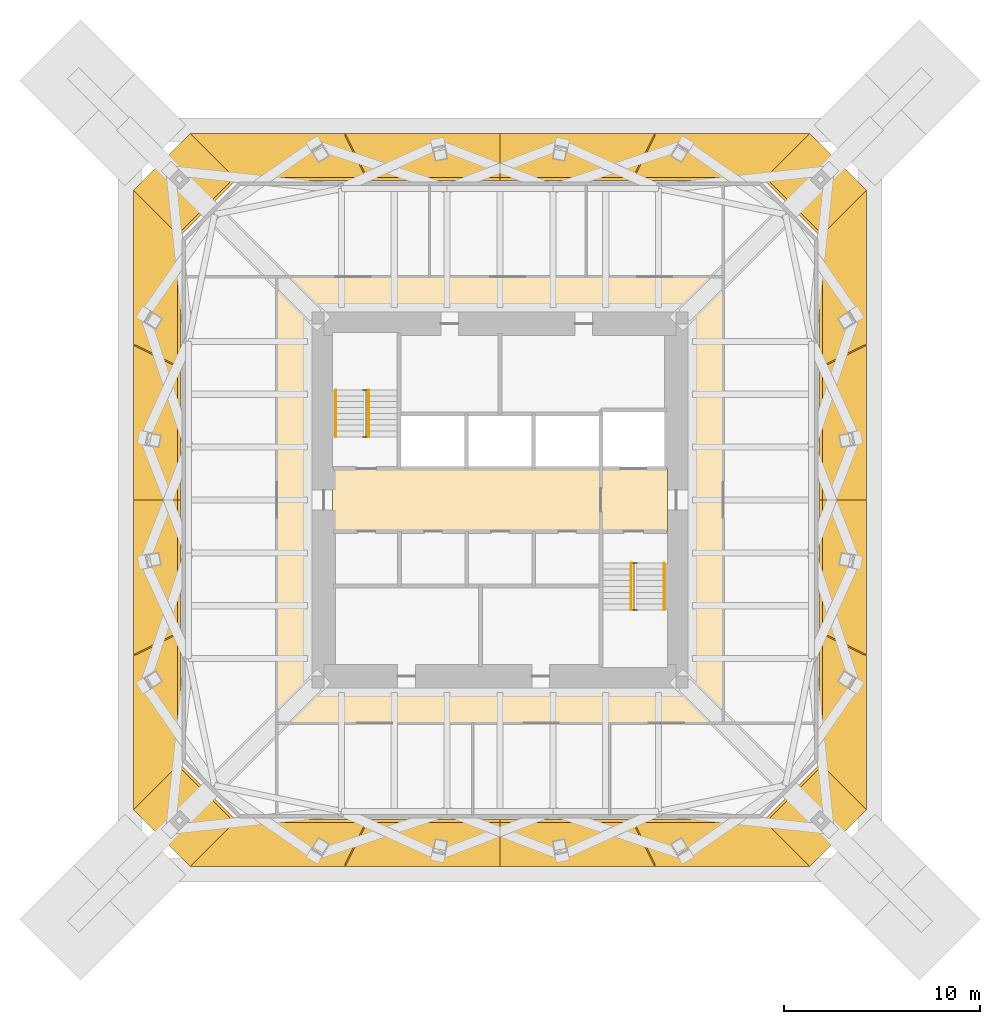
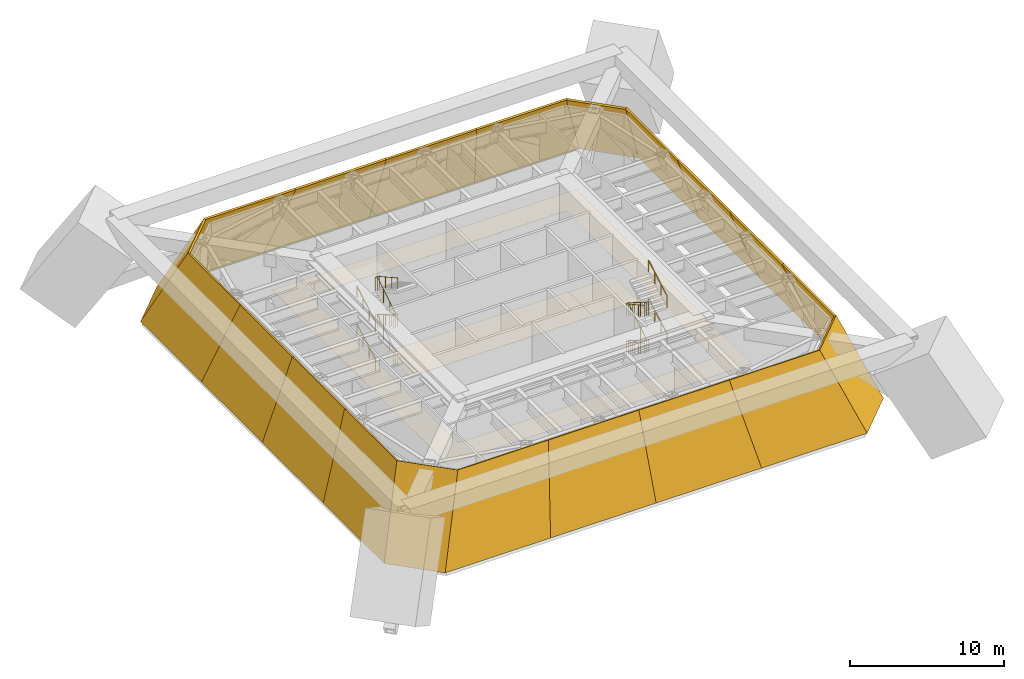
# One storey, part 6 of 6: 20 shading devices, 10 railings, 3 coverings.
"""IFC4 building model written with IfcOpenShell, lengths in metres."""

from ifc_helpers import new_model, si_unit, direction, frame, origin, origin_2d, place, context, subcontext, project, spatial, polyline, circle, outline, extrude, material, layer, layer_set, constituent, constituent_set, type_object, element, save


model = new_model("IFC4")

# Units and contexts
model_context = context("Model", 3, precision=1e-05, world=origin(), true_north=direction((0.0, 1.0)))
body_context = subcontext(model_context, "Body", "Model", "MODEL_VIEW")
ifc_project = project(units=[si_unit("LENGTHUNIT", "METRE"), si_unit("AREAUNIT", "SQUARE_METRE"), si_unit("VOLUMEUNIT", "CUBIC_METRE"), si_unit("PLANEANGLEUNIT", "RADIAN"), si_unit("MASSUNIT", "GRAM", prefix="KILO")], contexts=[model_context])

# Site, building, storey
site_placement = place(None, origin())
site = spatial("IfcSite", under=ifc_project, at=site_placement, CompositionType="ELEMENT")
building_placement = place(site_placement, origin())
building = spatial("IfcBuilding", under=site, at=building_placement, Name="Iwan Alto Co-Living Towers", CompositionType="ELEMENT")
storey_placement = place(building_placement, frame((0.0, 0.0, 209.0)))
storey = spatial("IfcBuildingStorey", under=building, at=storey_placement, Name="L57", CompositionType="ELEMENT", Elevation=209.0)

# Coverings
ifc_material_1 = material(Name="Mineral fibre acoustic tiles on steel grid", Category="steel")
ifc_layer_1 = layer(ifc_material_1, 0.02001953125)
ifc_layer_set_1 = layer_set([ifc_layer_1], Name="ACOUSTIC TILE CEILING 20")
covering_type_1 = type_object("IfcCoveringType", Name="ACOUSTIC TILE CEILING 20", PredefinedType="CEILING", material=ifc_layer_set_1)
covering_1_placement = place(storey_placement, frame((0.0, 0.0, 2.60009765625)))
element("IfcCovering", 1, at=covering_1_placement, inside=storey, type_object=covering_type_1, Name="Ceiling Lift lobby L57", PredefinedType="CEILING", context=body_context, shape_type="SweptSolid", body=[
    extrude(outline(polyline([(-8.550048828125, -1.60009765625), (-8.550048828125, 1.60009765625), (5.14990234375, 1.60009765625), (5.14990234375, -1.60009765625), (-8.550048828125, -1.60009765625)])), origin(), (0.0, 0.0, 1.0), 0.02001953125),
])
covering_2_placement = place(storey_placement, frame((0.0, 0.0, 2.60009765625)))
element("IfcCovering", 2, at=covering_2_placement, inside=storey, type_object=covering_type_1, Name="Ceiling Firefighting lobby L57", PredefinedType="CEILING", context=body_context, shape_type="SweptSolid", body=[
    extrude(outline(polyline([(5.14990234375, -1.60009765625), (5.14990234375, 1.60009765625), (8.550048828125, 1.60009765625), (8.550048828125, -1.60009765625), (5.14990234375, -1.60009765625)])), origin(), (0.0, 0.0, 1.0), 0.02001953125),
])

# Shading devices
ifc_material_2 = material(Name="Aluminium 6063-T6 bronze anodised", Category="aluminium")
ifc_layer_2 = layer(ifc_material_2, 0.10009765625, Name="Louvre blades", Category="Finish")
ifc_material_3 = material(Name="Steel ASTM A36 galvanised frame", Category="steel")
ifc_layer_3 = layer(ifc_material_3, 0.050048828125, Name="Steel frame", Category="Framing")
ifc_layer_set_2 = layer_set([ifc_layer_2, ifc_layer_3], Name="PLANT LOUVRE BAND 150")
shading_device_type = type_object("IfcShadingDeviceType", Name="PLANT LOUVRE BAND 150", PredefinedType="USERDEFINED", material=ifc_layer_set_2)
shading_device_1_placement = place(storey_placement, frame((-15.8115234375, -18.710205078125, 0.0), z_axis=(0.0, -0.936329177569, 0.351123441588), x_axis=(1.0, 0.0, 0.0)))
element("IfcShadingDevice", 3, at=shading_device_1_placement, inside=storey, type_object=shading_device_type, Name="T1 raked louvre band L57 panel 1", ObjectType="LOUVER", PredefinedType="USERDEFINED", context=body_context, shape_type="SweptSolid", body=[
    extrude(outline(polyline([(0.0, 0.0), (7.905761719, 0.0), (9.030761719, 6.408002809), (2.25, 6.408002809), (0.0, 0.0)])), origin(), (0.0, 0.0, -1.0), 0.14990234375),
])
shading_device_2_placement = place(storey_placement, frame((-7.90576171875, -18.710205078125, 0.0), z_axis=(0.0, -0.936329177569, 0.351123441588), x_axis=(1.0, 0.0, 0.0)))
element("IfcShadingDevice", 4, at=shading_device_2_placement, inside=storey, type_object=shading_device_type, Name="T1 raked louvre band L57 panel 2", ObjectType="LOUVER", PredefinedType="USERDEFINED", context=body_context, shape_type="SweptSolid", body=[
    extrude(outline(polyline([(0.0, 0.0), (7.905761719, 0.0), (7.905761719, 6.408002809), (1.125, 6.408002809), (0.0, 0.0)])), origin(), (0.0, 0.0, -1.0), 0.14990234375),
])
shading_device_3_placement = place(storey_placement, frame((0.0, -18.710205078125, 0.0), z_axis=(0.0, -0.936329177569, 0.351123441588), x_axis=(1.0, 0.0, 0.0)))
element("IfcShadingDevice", 5, at=shading_device_3_placement, inside=storey, type_object=shading_device_type, Name="T1 raked louvre band L57 panel 3", ObjectType="LOUVER", PredefinedType="USERDEFINED", context=body_context, shape_type="SweptSolid", body=[
    extrude(outline(polyline([(0.0, 0.0), (7.905761719, 0.0), (6.780761719, 6.408002809), (0.0, 6.408002809), (0.0, 0.0)])), origin(), (0.0, 0.0, -1.0), 0.14990234375),
])
shading_device_4_placement = place(storey_placement, frame((7.90576171875, -18.710205078125, 0.0), z_axis=(0.0, -0.936329177569, 0.351123441588), x_axis=(1.0, 0.0, 0.0)))
element("IfcShadingDevice", 6, at=shading_device_4_placement, inside=storey, type_object=shading_device_type, Name="T1 raked louvre band L57 panel 4", ObjectType="LOUVER", PredefinedType="USERDEFINED", context=body_context, shape_type="SweptSolid", body=[
    extrude(outline(polyline([(0.0, 0.0), (7.905761719, 0.0), (5.655761719, 6.408002809), (-1.125, 6.408002809), (0.0, 0.0)])), origin(), (0.0, 0.0, -1.0), 0.14990234375),
])
shading_device_5_placement = place(storey_placement, frame((15.8115234375, -18.710205078125, 0.0), z_axis=(0.624695047554, -0.624695047554, 0.468521285666), x_axis=(0.707106781187, 0.707106781187, 0.0)))
element("IfcShadingDevice", 7, at=shading_device_5_placement, inside=storey, type_object=shading_device_type, Name="T1 raked louvre band L57 panel 5", ObjectType="LOUVER", PredefinedType="USERDEFINED", context=body_context, shape_type="SweptSolid", body=[
    extrude(outline(polyline([(0.0, 0.0), (4.099354889, 0.0), (4.099354889, 6.791538854), (0.0, 6.791538854), (0.0, 0.0)])), origin(), (0.0, 0.0, -1.0), 0.14990234375),
])
shading_device_6_placement = place(storey_placement, frame((18.710205078125, -15.8115234375, 0.0), z_axis=(0.936329177569, 0.0, 0.351123441588), x_axis=(0.0, 1.0, 0.0)))
element("IfcShadingDevice", 8, at=shading_device_6_placement, inside=storey, type_object=shading_device_type, Name="T1 raked louvre band L57 panel 6", ObjectType="LOUVER", PredefinedType="USERDEFINED", context=body_context, shape_type="SweptSolid", body=[
    extrude(outline(polyline([(0.0, 0.0), (7.905761719, 0.0), (9.030761719, 6.408002809), (2.25, 6.408002809), (0.0, 0.0)])), origin(), (0.0, 0.0, -1.0), 0.14990234375),
])
shading_device_7_placement = place(storey_placement, frame((18.710205078125, -7.90576171875, 0.0), z_axis=(0.936329177569, 0.0, 0.351123441588), x_axis=(0.0, 1.0, 0.0)))
element("IfcShadingDevice", 9, at=shading_device_7_placement, inside=storey, type_object=shading_device_type, Name="T1 raked louvre band L57 panel 7", ObjectType="LOUVER", PredefinedType="USERDEFINED", context=body_context, shape_type="SweptSolid", body=[
    extrude(outline(polyline([(0.0, 0.0), (7.905761719, 0.0), (7.905761719, 6.408002809), (1.125, 6.408002809), (0.0, 0.0)])), origin(), (0.0, 0.0, -1.0), 0.14990234375),
])
shading_device_8_placement = place(storey_placement, frame((18.710205078125, 0.0, 0.0), z_axis=(0.936329177569, 0.0, 0.351123441588), x_axis=(0.0, 1.0, 0.0)))
element("IfcShadingDevice", 10, at=shading_device_8_placement, inside=storey, type_object=shading_device_type, Name="T1 raked louvre band L57 panel 8", ObjectType="LOUVER", PredefinedType="USERDEFINED", context=body_context, shape_type="SweptSolid", body=[
    extrude(outline(polyline([(0.0, 0.0), (7.905761719, 0.0), (6.780761719, 6.408002809), (0.0, 6.408002809), (0.0, 0.0)])), origin(), (0.0, 0.0, -1.0), 0.14990234375),
])
shading_device_9_placement = place(storey_placement, frame((18.710205078125, 7.90576171875, 0.0), z_axis=(0.936329177569, 0.0, 0.351123441588), x_axis=(0.0, 1.0, 0.0)))
element("IfcShadingDevice", 11, at=shading_device_9_placement, inside=storey, type_object=shading_device_type, Name="T1 raked louvre band L57 panel 9", ObjectType="LOUVER", PredefinedType="USERDEFINED", context=body_context, shape_type="SweptSolid", body=[
    extrude(outline(polyline([(0.0, 0.0), (7.905761719, 0.0), (5.655761719, 6.408002809), (-1.125, 6.408002809), (0.0, 0.0)])), origin(), (0.0, 0.0, -1.0), 0.14990234375),
])
shading_device_10_placement = place(storey_placement, frame((18.710205078125, 15.8115234375, 0.0), z_axis=(0.624695047554, 0.624695047554, 0.468521285666), x_axis=(-0.707106781187, 0.707106781187, 0.0)))
element("IfcShadingDevice", 12, at=shading_device_10_placement, inside=storey, type_object=shading_device_type, Name="T1 raked louvre band L57 panel 10", ObjectType="LOUVER", PredefinedType="USERDEFINED", context=body_context, shape_type="SweptSolid", body=[
    extrude(outline(polyline([(0.0, 0.0), (4.099354889, 0.0), (4.099354889, 6.791538854), (0.0, 6.791538854), (0.0, 0.0)])), origin(), (0.0, 0.0, -1.0), 0.14990234375),
])
shading_device_11_placement = place(storey_placement, frame((15.8115234375, 18.710205078125, 0.0), z_axis=(0.0, 0.936329177569, 0.351123441588), x_axis=(-1.0, 0.0, 0.0)))
element("IfcShadingDevice", 13, at=shading_device_11_placement, inside=storey, type_object=shading_device_type, Name="T1 raked louvre band L57 panel 11", ObjectType="LOUVER", PredefinedType="USERDEFINED", context=body_context, shape_type="SweptSolid", body=[
    extrude(outline(polyline([(0.0, 0.0), (7.905761719, 0.0), (9.030761719, 6.408002809), (2.25, 6.408002809), (0.0, 0.0)])), origin(), (0.0, 0.0, -1.0), 0.14990234375),
])
shading_device_12_placement = place(storey_placement, frame((7.90576171875, 18.710205078125, 0.0), z_axis=(0.0, 0.936329177569, 0.351123441588), x_axis=(-1.0, 0.0, 0.0)))
element("IfcShadingDevice", 14, at=shading_device_12_placement, inside=storey, type_object=shading_device_type, Name="T1 raked louvre band L57 panel 12", ObjectType="LOUVER", PredefinedType="USERDEFINED", context=body_context, shape_type="SweptSolid", body=[
    extrude(outline(polyline([(0.0, 0.0), (7.905761719, 0.0), (7.905761719, 6.408002809), (1.125, 6.408002809), (0.0, 0.0)])), origin(), (0.0, 0.0, -1.0), 0.14990234375),
])
shading_device_13_placement = place(storey_placement, frame((0.0, 18.710205078125, 0.0), z_axis=(0.0, 0.936329177569, 0.351123441588), x_axis=(-1.0, 0.0, 0.0)))
element("IfcShadingDevice", 15, at=shading_device_13_placement, inside=storey, type_object=shading_device_type, Name="T1 raked louvre band L57 panel 13", ObjectType="LOUVER", PredefinedType="USERDEFINED", context=body_context, shape_type="SweptSolid", body=[
    extrude(outline(polyline([(0.0, 0.0), (7.905761719, 0.0), (6.780761719, 6.408002809), (0.0, 6.408002809), (0.0, 0.0)])), origin(), (0.0, 0.0, -1.0), 0.14990234375),
])
shading_device_14_placement = place(storey_placement, frame((-7.90576171875, 18.710205078125, 0.0), z_axis=(0.0, 0.936329177569, 0.351123441588), x_axis=(-1.0, 0.0, 0.0)))
element("IfcShadingDevice", 16, at=shading_device_14_placement, inside=storey, type_object=shading_device_type, Name="T1 raked louvre band L57 panel 14", ObjectType="LOUVER", PredefinedType="USERDEFINED", context=body_context, shape_type="SweptSolid", body=[
    extrude(outline(polyline([(0.0, 0.0), (7.905761719, 0.0), (5.655761719, 6.408002809), (-1.125, 6.408002809), (0.0, 0.0)])), origin(), (0.0, 0.0, -1.0), 0.14990234375),
])
shading_device_15_placement = place(storey_placement, frame((-15.8115234375, 18.710205078125, 0.0), z_axis=(-0.624695047554, 0.624695047554, 0.468521285666), x_axis=(-0.707106781187, -0.707106781187, 0.0)))
element("IfcShadingDevice", 17, at=shading_device_15_placement, inside=storey, type_object=shading_device_type, Name="T1 raked louvre band L57 panel 15", ObjectType="LOUVER", PredefinedType="USERDEFINED", context=body_context, shape_type="SweptSolid", body=[
    extrude(outline(polyline([(0.0, 0.0), (4.099354889, 0.0), (4.099354889, 6.791538854), (0.0, 6.791538854), (0.0, 0.0)])), origin(), (0.0, 0.0, -1.0), 0.14990234375),
])
shading_device_16_placement = place(storey_placement, frame((-18.710205078125, 15.8115234375, 0.0), z_axis=(-0.936329177569, 0.0, 0.351123441588), x_axis=(0.0, -1.0, 0.0)))
element("IfcShadingDevice", 18, at=shading_device_16_placement, inside=storey, type_object=shading_device_type, Name="T1 raked louvre band L57 panel 16", ObjectType="LOUVER", PredefinedType="USERDEFINED", context=body_context, shape_type="SweptSolid", body=[
    extrude(outline(polyline([(0.0, 0.0), (7.905761719, 0.0), (9.030761719, 6.408002809), (2.25, 6.408002809), (0.0, 0.0)])), origin(), (0.0, 0.0, -1.0), 0.14990234375),
])
shading_device_17_placement = place(storey_placement, frame((-18.710205078125, 7.90576171875, 0.0), z_axis=(-0.936329177569, 0.0, 0.351123441588), x_axis=(0.0, -1.0, 0.0)))
element("IfcShadingDevice", 19, at=shading_device_17_placement, inside=storey, type_object=shading_device_type, Name="T1 raked louvre band L57 panel 17", ObjectType="LOUVER", PredefinedType="USERDEFINED", context=body_context, shape_type="SweptSolid", body=[
    extrude(outline(polyline([(0.0, 0.0), (7.905761719, 0.0), (7.905761719, 6.408002809), (1.125, 6.408002809), (0.0, 0.0)])), origin(), (0.0, 0.0, -1.0), 0.14990234375),
])
shading_device_18_placement = place(storey_placement, frame((-18.710205078125, 0.0, 0.0), z_axis=(-0.936329177569, 0.0, 0.351123441588), x_axis=(0.0, -1.0, 0.0)))
element("IfcShadingDevice", 20, at=shading_device_18_placement, inside=storey, type_object=shading_device_type, Name="T1 raked louvre band L57 panel 18", ObjectType="LOUVER", PredefinedType="USERDEFINED", context=body_context, shape_type="SweptSolid", body=[
    extrude(outline(polyline([(0.0, 0.0), (7.905761719, 0.0), (6.780761719, 6.408002809), (0.0, 6.408002809), (0.0, 0.0)])), origin(), (0.0, 0.0, -1.0), 0.14990234375),
])
shading_device_19_placement = place(storey_placement, frame((-18.710205078125, -7.90576171875, 0.0), z_axis=(-0.936329177569, 0.0, 0.351123441588), x_axis=(0.0, -1.0, 0.0)))
element("IfcShadingDevice", 21, at=shading_device_19_placement, inside=storey, type_object=shading_device_type, Name="T1 raked louvre band L57 panel 19", ObjectType="LOUVER", PredefinedType="USERDEFINED", context=body_context, shape_type="SweptSolid", body=[
    extrude(outline(polyline([(0.0, 0.0), (7.905761719, 0.0), (5.655761719, 6.408002809), (-1.125, 6.408002809), (0.0, 0.0)])), origin(), (0.0, 0.0, -1.0), 0.14990234375),
])
shading_device_20_placement = place(storey_placement, frame((-18.710205078125, -15.8115234375, 0.0), z_axis=(-0.624695047554, -0.624695047554, 0.468521285666), x_axis=(0.707106781187, -0.707106781187, 0.0)))
element("IfcShadingDevice", 22, at=shading_device_20_placement, inside=storey, type_object=shading_device_type, Name="T1 raked louvre band L57 panel 20", ObjectType="LOUVER", PredefinedType="USERDEFINED", context=body_context, shape_type="SweptSolid", body=[
    extrude(outline(polyline([(0.0, 0.0), (4.099354889, 0.0), (4.099354889, 6.791538854), (0.0, 6.791538854), (0.0, 0.0)])), origin(), (0.0, 0.0, -1.0), 0.14990234375),
])

# Railings
ifc_material_4 = material(Name="Steel ASTM A500 Gr C", Category="steel")
ifc_constituent_1 = constituent(ifc_material_4, Name="Rails and posts", Category="Framing")
ifc_material_5 = material(Name="Steel ASTM A36", Category="steel")
ifc_constituent_2 = constituent(ifc_material_5, Name="Bar infill", Category="Infill")
ifc_constituent_set = constituent_set(constituents=[ifc_constituent_1, ifc_constituent_2], Name="STAIR GUARD 1100")
railing_type_1 = type_object("IfcRailingType", Name="STAIR GUARD 1100", PredefinedType="GUARDRAIL", material=ifc_constituent_set)
railing_1_placement = place(storey_placement, frame((-6.85009765625, 3.219970703125, 0.0)))
element("IfcRailing", 23, at=railing_1_placement, inside=storey, type_object=railing_type_1, Name="Stair T1-S1 well guard L57", PredefinedType="GUARDRAIL", context=body_context, shape_type="SweptSolid", body=[
    extrude(circle(Radius=0.02392578125, at=origin_2d()), frame((0.0, 0.0, 1.076171875), z_axis=(0.0, 0.84801284173, 0.529975678933), x_axis=(-1.0, 0.0, 0.0)), (0.0, 0.0, 1.0), 2.830322265625),
    extrude(circle(Radius=0.02392578125, at=origin_2d()), frame((0.0, 2.400146484375, 2.576171875), z_axis=(0.0, -0.84801284173, 0.529975678933), x_axis=(1.0, 0.0, 0.0)), (0.0, 0.0, 1.0), 2.830322265625),
    extrude(circle(Radius=0.02392578125, at=origin_2d()), frame((0.0, 0.0, 4.076171875), z_axis=(0.0, 0.84801284173, 0.529975678933), x_axis=(-1.0, 0.0, 0.0)), (0.0, 0.0, 1.0), 2.830322265625),
    extrude(circle(Radius=0.02392578125, at=origin_2d()), frame((-0.14990234375, 0.0, 1.076171875), z_axis=(1.0, 0.0, 0.0), x_axis=(0.0, 1.0, 0.0)), (0.0, 0.0, 1.0), 0.300048828125),
    extrude(circle(Radius=0.02392578125, at=origin_2d()), frame((-0.14990234375, 2.400146484375, 2.576171875), z_axis=(1.0, 0.0, 0.0), x_axis=(0.0, 1.0, 0.0)), (0.0, 0.0, 1.0), 0.300048828125),
    extrude(circle(Radius=0.02392578125, at=origin_2d()), frame((-0.14990234375, 0.0, 4.076171875), z_axis=(1.0, 0.0, 0.0), x_axis=(0.0, 1.0, 0.0)), (0.0, 0.0, 1.0), 0.300048828125),
    extrude(circle(Radius=0.02392578125, at=origin_2d()), frame((-0.14990234375, 2.400146484375, 5.576171875), z_axis=(1.0, 0.0, 0.0), x_axis=(0.0, 1.0, 0.0)), (0.0, 0.0, 1.0), 0.300048828125),
    extrude(circle(Radius=0.02099609375, at=origin_2d()), origin(), (0.0, 0.0, 1.0), 1.052001953125),
    extrude(circle(Radius=0.02099609375, at=origin_2d()), frame((0.0, 0.800048828125, 0.5)), (0.0, 0.0, 1.0), 1.052001953125),
    extrude(circle(Radius=0.02099609375, at=origin_2d()), frame((0.0, 1.60009765625, 1.0)), (0.0, 0.0, 1.0), 1.052001953125),
    extrude(circle(Radius=0.02099609375, at=origin_2d()), frame((0.0, 2.400146484375, 1.5)), (0.0, 0.0, 1.0), 1.052001953125),
    extrude(circle(Radius=0.02099609375, at=origin_2d()), frame((0.0, 1.60009765625, 2.0)), (0.0, 0.0, 1.0), 1.052001953125),
    extrude(circle(Radius=0.02099609375, at=origin_2d()), frame((0.0, 0.800048828125, 2.5)), (0.0, 0.0, 1.0), 1.052001953125),
    extrude(circle(Radius=0.02099609375, at=origin_2d()), frame((0.0, 0.0, 3.0)), (0.0, 0.0, 1.0), 1.052001953125),
    extrude(circle(Radius=0.02099609375, at=origin_2d()), frame((0.0, 0.800048828125, 3.5)), (0.0, 0.0, 1.0), 1.052001953125),
    extrude(circle(Radius=0.02099609375, at=origin_2d()), frame((0.0, 1.60009765625, 4.0)), (0.0, 0.0, 1.0), 1.052001953125),
    extrude(circle(Radius=0.02099609375, at=origin_2d()), frame((0.0, 2.400146484375, 4.5)), (0.0, 0.0, 1.0), 1.052001953125),
    extrude(circle(Radius=0.02099609375, at=origin_2d()), frame((-0.14990234375, 0.0, 0.0)), (0.0, 0.0, 1.0), 1.052001953125),
    extrude(circle(Radius=0.02099609375, at=origin_2d()), frame((0.150146484375, 0.0, 0.0)), (0.0, 0.0, 1.0), 1.052001953125),
    extrude(circle(Radius=0.02099609375, at=origin_2d()), frame((-0.14990234375, 2.400146484375, 1.5)), (0.0, 0.0, 1.0), 1.052001953125),
    extrude(circle(Radius=0.02099609375, at=origin_2d()), frame((0.150146484375, 2.400146484375, 1.5)), (0.0, 0.0, 1.0), 1.052001953125),
    extrude(circle(Radius=0.02099609375, at=origin_2d()), frame((-0.14990234375, 0.0, 3.0)), (0.0, 0.0, 1.0), 1.052001953125),
    extrude(circle(Radius=0.02099609375, at=origin_2d()), frame((0.150146484375, 0.0, 3.0)), (0.0, 0.0, 1.0), 1.052001953125),
    extrude(circle(Radius=0.02099609375, at=origin_2d()), frame((-0.14990234375, 2.400146484375, 4.5)), (0.0, 0.0, 1.0), 1.052001953125),
    extrude(circle(Radius=0.02099609375, at=origin_2d()), frame((0.150146484375, 2.400146484375, 4.5)), (0.0, 0.0, 1.0), 1.052001953125),
])
railing_2_placement = place(storey_placement, frame((6.85009765625, -3.219970703125, 0.0)))
element("IfcRailing", 24, at=railing_2_placement, inside=storey, type_object=railing_type_1, Name="Stair T1-S2 well guard L57", PredefinedType="GUARDRAIL", context=body_context, shape_type="SweptSolid", body=[
    extrude(circle(Radius=0.02392578125, at=origin_2d()), frame((0.0, 0.0, 1.076171875), z_axis=(0.0, -0.84801284173, 0.529975678933), x_axis=(1.0, 0.0, 0.0)), (0.0, 0.0, 1.0), 2.830322265625),
    extrude(circle(Radius=0.02392578125, at=origin_2d()), frame((0.0, -2.400146484375, 2.576171875), z_axis=(0.0, 0.84801284173, 0.529975678933), x_axis=(-1.0, 0.0, 0.0)), (0.0, 0.0, 1.0), 2.830322265625),
    extrude(circle(Radius=0.02392578125, at=origin_2d()), frame((0.0, 0.0, 4.076171875), z_axis=(0.0, -0.84801284173, 0.529975678933), x_axis=(1.0, 0.0, 0.0)), (0.0, 0.0, 1.0), 2.830322265625),
    extrude(circle(Radius=0.02392578125, at=origin_2d()), frame((-0.150146484375, 0.0, 1.076171875), z_axis=(1.0, 0.0, 0.0), x_axis=(0.0, 1.0, 0.0)), (0.0, 0.0, 1.0), 0.300048828125),
    extrude(circle(Radius=0.02392578125, at=origin_2d()), frame((-0.150146484375, -2.400146484375, 2.576171875), z_axis=(1.0, 0.0, 0.0), x_axis=(0.0, 1.0, 0.0)), (0.0, 0.0, 1.0), 0.300048828125),
    extrude(circle(Radius=0.02392578125, at=origin_2d()), frame((-0.150146484375, 0.0, 4.076171875), z_axis=(1.0, 0.0, 0.0), x_axis=(0.0, 1.0, 0.0)), (0.0, 0.0, 1.0), 0.300048828125),
    extrude(circle(Radius=0.02392578125, at=origin_2d()), frame((-0.150146484375, -2.400146484375, 5.576171875), z_axis=(1.0, 0.0, 0.0), x_axis=(0.0, 1.0, 0.0)), (0.0, 0.0, 1.0), 0.300048828125),
    extrude(circle(Radius=0.02099609375, at=origin_2d()), origin(), (0.0, 0.0, 1.0), 1.052001953125),
    extrude(circle(Radius=0.02099609375, at=origin_2d()), frame((0.0, -0.800048828125, 0.5)), (0.0, 0.0, 1.0), 1.052001953125),
    extrude(circle(Radius=0.02099609375, at=origin_2d()), frame((0.0, -1.60009765625, 1.0)), (0.0, 0.0, 1.0), 1.052001953125),
    extrude(circle(Radius=0.02099609375, at=origin_2d()), frame((0.0, -2.400146484375, 1.5)), (0.0, 0.0, 1.0), 1.052001953125),
    extrude(circle(Radius=0.02099609375, at=origin_2d()), frame((0.0, -1.60009765625, 2.0)), (0.0, 0.0, 1.0), 1.052001953125),
    extrude(circle(Radius=0.02099609375, at=origin_2d()), frame((0.0, -0.800048828125, 2.5)), (0.0, 0.0, 1.0), 1.052001953125),
    extrude(circle(Radius=0.02099609375, at=origin_2d()), frame((0.0, 0.0, 3.0)), (0.0, 0.0, 1.0), 1.052001953125),
    extrude(circle(Radius=0.02099609375, at=origin_2d()), frame((0.0, -0.800048828125, 3.5)), (0.0, 0.0, 1.0), 1.052001953125),
    extrude(circle(Radius=0.02099609375, at=origin_2d()), frame((0.0, -1.60009765625, 4.0)), (0.0, 0.0, 1.0), 1.052001953125),
    extrude(circle(Radius=0.02099609375, at=origin_2d()), frame((0.0, -2.400146484375, 4.5)), (0.0, 0.0, 1.0), 1.052001953125),
    extrude(circle(Radius=0.02099609375, at=origin_2d()), frame((-0.150146484375, 0.0, 0.0)), (0.0, 0.0, 1.0), 1.052001953125),
    extrude(circle(Radius=0.02099609375, at=origin_2d()), frame((0.14990234375, 0.0, 0.0)), (0.0, 0.0, 1.0), 1.052001953125),
    extrude(circle(Radius=0.02099609375, at=origin_2d()), frame((-0.150146484375, -2.400146484375, 1.5)), (0.0, 0.0, 1.0), 1.052001953125),
    extrude(circle(Radius=0.02099609375, at=origin_2d()), frame((0.14990234375, -2.400146484375, 1.5)), (0.0, 0.0, 1.0), 1.052001953125),
    extrude(circle(Radius=0.02099609375, at=origin_2d()), frame((-0.150146484375, 0.0, 3.0)), (0.0, 0.0, 1.0), 1.052001953125),
    extrude(circle(Radius=0.02099609375, at=origin_2d()), frame((0.14990234375, 0.0, 3.0)), (0.0, 0.0, 1.0), 1.052001953125),
    extrude(circle(Radius=0.02099609375, at=origin_2d()), frame((-0.150146484375, -2.400146484375, 4.5)), (0.0, 0.0, 1.0), 1.052001953125),
    extrude(circle(Radius=0.02099609375, at=origin_2d()), frame((0.14990234375, -2.400146484375, 4.5)), (0.0, 0.0, 1.0), 1.052001953125),
])
ifc_material_6 = material(Name="Steel ASTM A500 Gr C", Category="steel")
railing_type_2 = type_object("IfcRailingType", Name="STAIR HANDRAIL 900", PredefinedType="HANDRAIL", material=ifc_material_6)
railing_3_placement = place(storey_placement, frame((-8.3798828125, 3.219970703125, 0.166748046875)))
element("IfcRailing", 25, at=railing_3_placement, inside=storey, type_object=railing_type_2, Name="Stair T1-S1 handrail 1 L57", PredefinedType="HANDRAIL", context=body_context, shape_type="SweptSolid", body=[
    extrude(circle(Radius=0.02392578125, at=origin_2d()), frame((0.0, 0.0, 0.8759765625), z_axis=(0.0, 0.874182441271, 0.485597631145), x_axis=(-1.0, 0.0, 0.0)), (0.0, 0.0, 1.0), 2.74560546875),
    extrude(circle(Radius=0.02099609375, at=origin_2d()), origin(), (0.0, 0.0, 1.0), 0.851806640625),
    extrude(circle(Radius=0.02099609375, at=origin_2d()), frame((0.0, 0.800048828125, 0.4443359375)), (0.0, 0.0, 1.0), 0.851806640625),
    extrude(circle(Radius=0.02099609375, at=origin_2d()), frame((0.0, 1.60009765625, 0.888916015625)), (0.0, 0.0, 1.0), 0.851806640625),
    extrude(circle(Radius=0.02099609375, at=origin_2d()), frame((0.0, 2.400146484375, 1.333251953125)), (0.0, 0.0, 1.0), 0.851806640625),
])
railing_4_placement = place(storey_placement, frame((-6.699951171875, 5.6201171875, 1.666748046875)))
element("IfcRailing", 26, at=railing_4_placement, inside=storey, type_object=railing_type_2, Name="Stair T1-S1 handrail 2 L57", PredefinedType="HANDRAIL", context=body_context, shape_type="SweptSolid", body=[
    extrude(circle(Radius=0.02392578125, at=origin_2d()), frame((0.0, 0.0, 0.8759765625), z_axis=(0.0, -0.874182441271, 0.485597631145), x_axis=(1.0, 0.0, 0.0)), (0.0, 0.0, 1.0), 2.74560546875),
    extrude(circle(Radius=0.02099609375, at=origin_2d()), origin(), (0.0, 0.0, 1.0), 0.851806640625),
    extrude(circle(Radius=0.02099609375, at=origin_2d()), frame((0.0, -0.800048828125, 0.4443359375)), (0.0, 0.0, 1.0), 0.851806640625),
    extrude(circle(Radius=0.02099609375, at=origin_2d()), frame((0.0, -1.60009765625, 0.888916015625)), (0.0, 0.0, 1.0), 0.851806640625),
    extrude(circle(Radius=0.02099609375, at=origin_2d()), frame((0.0, -2.400146484375, 1.333251953125)), (0.0, 0.0, 1.0), 0.851806640625),
])
railing_5_placement = place(storey_placement, frame((-8.3798828125, 3.219970703125, 3.166748046875)))
element("IfcRailing", 27, at=railing_5_placement, inside=storey, type_object=railing_type_2, Name="Stair T1-S1 handrail 3 L57", PredefinedType="HANDRAIL", context=body_context, shape_type="SweptSolid", body=[
    extrude(circle(Radius=0.02392578125, at=origin_2d()), frame((0.0, 0.0, 0.8759765625), z_axis=(0.0, 0.874182441271, 0.485597631145), x_axis=(-1.0, 0.0, 0.0)), (0.0, 0.0, 1.0), 2.74560546875),
    extrude(circle(Radius=0.02099609375, at=origin_2d()), origin(), (0.0, 0.0, 1.0), 0.851806640625),
    extrude(circle(Radius=0.02099609375, at=origin_2d()), frame((0.0, 0.800048828125, 0.4443359375)), (0.0, 0.0, 1.0), 0.851806640625),
    extrude(circle(Radius=0.02099609375, at=origin_2d()), frame((0.0, 1.60009765625, 0.888916015625)), (0.0, 0.0, 1.0), 0.851806640625),
    extrude(circle(Radius=0.02099609375, at=origin_2d()), frame((0.0, 2.400146484375, 1.333251953125)), (0.0, 0.0, 1.0), 0.851806640625),
])
for number, where, name in (
    (28, (-6.699951171875, 5.6201171875, 4.666748046875), "Stair T1-S1 handrail 4 L57"),
    (29, (6.699951171875, -3.219970703125, 0.166748046875), "Stair T1-S2 handrail 1 L57"),
):
    element("IfcRailing", number, at=place(storey_placement, frame(where)), inside=storey, type_object=railing_type_2, Name=name, PredefinedType="HANDRAIL", context=body_context, shape_type="SweptSolid", body=[
        extrude(circle(Radius=0.02392578125, at=origin_2d()), frame((0.0, 0.0, 0.8759765625), z_axis=(0.0, -0.874182441271, 0.485597631145), x_axis=(1.0, 0.0, 0.0)), (0.0, 0.0, 1.0), 2.74560546875),
        extrude(circle(Radius=0.02099609375, at=origin_2d()), origin(), (0.0, 0.0, 1.0), 0.851806640625),
        extrude(circle(Radius=0.02099609375, at=origin_2d()), frame((0.0, -0.800048828125, 0.4443359375)), (0.0, 0.0, 1.0), 0.851806640625),
        extrude(circle(Radius=0.02099609375, at=origin_2d()), frame((0.0, -1.60009765625, 0.888916015625)), (0.0, 0.0, 1.0), 0.851806640625),
        extrude(circle(Radius=0.02099609375, at=origin_2d()), frame((0.0, -2.400146484375, 1.333251953125)), (0.0, 0.0, 1.0), 0.851806640625),
    ])
railing_6_placement = place(storey_placement, frame((8.3798828125, -5.6201171875, 1.666748046875)))
element("IfcRailing", 30, at=railing_6_placement, inside=storey, type_object=railing_type_2, Name="Stair T1-S2 handrail 2 L57", PredefinedType="HANDRAIL", context=body_context, shape_type="SweptSolid", body=[
    extrude(circle(Radius=0.02392578125, at=origin_2d()), frame((0.0, 0.0, 0.8759765625), z_axis=(0.0, 0.874182441271, 0.485597631145), x_axis=(-1.0, 0.0, 0.0)), (0.0, 0.0, 1.0), 2.74560546875),
    extrude(circle(Radius=0.02099609375, at=origin_2d()), origin(), (0.0, 0.0, 1.0), 0.851806640625),
    extrude(circle(Radius=0.02099609375, at=origin_2d()), frame((0.0, 0.800048828125, 0.4443359375)), (0.0, 0.0, 1.0), 0.851806640625),
    extrude(circle(Radius=0.02099609375, at=origin_2d()), frame((0.0, 1.60009765625, 0.888916015625)), (0.0, 0.0, 1.0), 0.851806640625),
    extrude(circle(Radius=0.02099609375, at=origin_2d()), frame((0.0, 2.400146484375, 1.333251953125)), (0.0, 0.0, 1.0), 0.851806640625),
])
railing_7_placement = place(storey_placement, frame((6.699951171875, -3.219970703125, 3.166748046875)))
element("IfcRailing", 31, at=railing_7_placement, inside=storey, type_object=railing_type_2, Name="Stair T1-S2 handrail 3 L57", PredefinedType="HANDRAIL", context=body_context, shape_type="SweptSolid", body=[
    extrude(circle(Radius=0.02392578125, at=origin_2d()), frame((0.0, 0.0, 0.8759765625), z_axis=(0.0, -0.874182441271, 0.485597631145), x_axis=(1.0, 0.0, 0.0)), (0.0, 0.0, 1.0), 2.74560546875),
    extrude(circle(Radius=0.02099609375, at=origin_2d()), origin(), (0.0, 0.0, 1.0), 0.851806640625),
    extrude(circle(Radius=0.02099609375, at=origin_2d()), frame((0.0, -0.800048828125, 0.4443359375)), (0.0, 0.0, 1.0), 0.851806640625),
    extrude(circle(Radius=0.02099609375, at=origin_2d()), frame((0.0, -1.60009765625, 0.888916015625)), (0.0, 0.0, 1.0), 0.851806640625),
    extrude(circle(Radius=0.02099609375, at=origin_2d()), frame((0.0, -2.400146484375, 1.333251953125)), (0.0, 0.0, 1.0), 0.851806640625),
])
railing_8_placement = place(storey_placement, frame((8.3798828125, -5.6201171875, 4.666748046875)))
element("IfcRailing", 32, at=railing_8_placement, inside=storey, type_object=railing_type_2, Name="Stair T1-S2 handrail 4 L57", PredefinedType="HANDRAIL", context=body_context, shape_type="SweptSolid", body=[
    extrude(circle(Radius=0.02392578125, at=origin_2d()), frame((0.0, 0.0, 0.8759765625), z_axis=(0.0, 0.874182441271, 0.485597631145), x_axis=(-1.0, 0.0, 0.0)), (0.0, 0.0, 1.0), 2.74560546875),
    extrude(circle(Radius=0.02099609375, at=origin_2d()), origin(), (0.0, 0.0, 1.0), 0.851806640625),
    extrude(circle(Radius=0.02099609375, at=origin_2d()), frame((0.0, 0.800048828125, 0.4443359375)), (0.0, 0.0, 1.0), 0.851806640625),
    extrude(circle(Radius=0.02099609375, at=origin_2d()), frame((0.0, 1.60009765625, 0.888916015625)), (0.0, 0.0, 1.0), 0.851806640625),
    extrude(circle(Radius=0.02099609375, at=origin_2d()), frame((0.0, 2.400146484375, 1.333251953125)), (0.0, 0.0, 1.0), 0.851806640625),
])

# Covering
ifc_material_7 = material(Name="Gypsum plasterboard on steel grid", Category="steel")
ifc_layer_4 = layer(ifc_material_7, 0.014892578125)
ifc_layer_set_3 = layer_set([ifc_layer_4], Name="SUSPENDED PLASTERBOARD CEILING 15")
covering_type_2 = type_object("IfcCoveringType", Name="SUSPENDED PLASTERBOARD CEILING 15", PredefinedType="CEILING", material=ifc_layer_set_3)
covering_3_placement = place(storey_placement, frame((0.0, 0.0, 2.60009765625)))
element("IfcCovering", 33, at=covering_3_placement, inside=storey, type_object=covering_type_2, Name="Ceiling Corridor L57", PredefinedType="CEILING", context=body_context, shape_type="SweptSolid", body=[
    extrude(outline(polyline([(-11.39990234375, 11.39990234375), (11.39990234375, 11.39990234375), (11.39990234375, -11.39990234375), (-11.39990234375, -11.39990234375), (-11.39990234375, 11.39990234375)]), holes=[polyline([(-9.60009765625, 9.60009765625), (-9.60009765625, -9.60009765625), (9.60009765625, -9.60009765625), (9.60009765625, 9.60009765625), (-9.60009765625, 9.60009765625)])]), origin(), (0.0, 0.0, 1.0), 0.014892578125),
])

save(model, "model.ifc")
